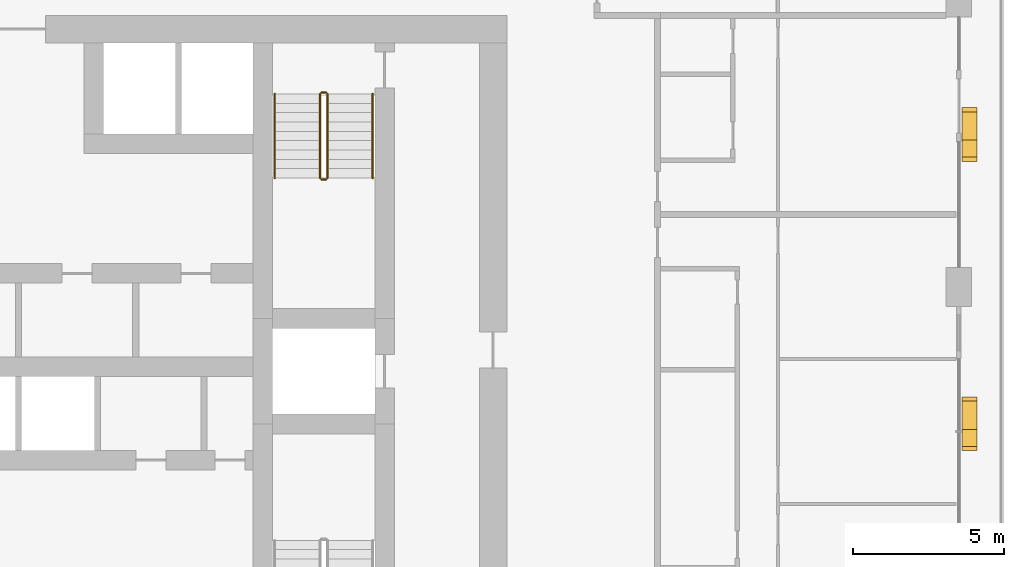
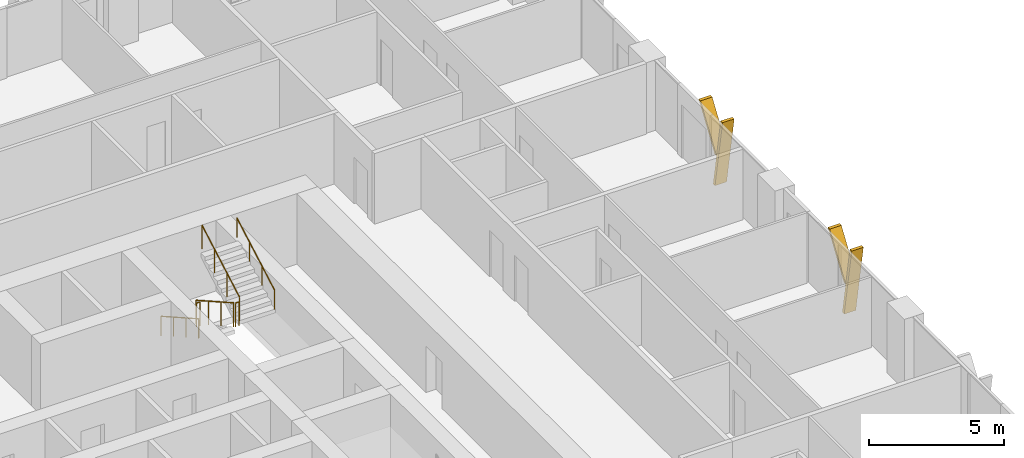
# One storey, part 21 of 22: 6 railings, 4 shading devices.
"""IFC4 building model written with IfcOpenShell, lengths in metres."""

from ifc_helpers import new_model, si_unit, direction, frame, origin, origin_2d, place, context, subcontext, project, spatial, polyline, circle, outline, extrude, material, type_object, element, save


model = new_model("IFC4")

# Units and contexts
model_context = context("Model", 3, precision=1e-05, world=origin(), true_north=direction((0.0, 1.0)))
body_context = subcontext(model_context, "Body", "Model", "MODEL_VIEW")
ifc_project = project(units=[si_unit("LENGTHUNIT", "METRE"), si_unit("AREAUNIT", "SQUARE_METRE"), si_unit("VOLUMEUNIT", "CUBIC_METRE"), si_unit("PLANEANGLEUNIT", "RADIAN"), si_unit("MASSUNIT", "GRAM", prefix="KILO")], contexts=[model_context])

# Site, building, storey
site_placement = place(None, origin())
site = spatial("IfcSite", under=ifc_project, at=site_placement, CompositionType="ELEMENT")
building_placement = place(site_placement, origin())
building = spatial("IfcBuilding", under=site, at=building_placement, Name="Madar Terraces", CompositionType="ELEMENT")
storey_placement = place(building_placement, frame((0.0, 0.0, 103.199951171875)))
storey = spatial("IfcBuildingStorey", under=building, at=storey_placement, Name="L26", CompositionType="ELEMENT", Elevation=103.199951171875)

# Shading devices
ifc_material_1 = material(Name="Aluminium, black anodised", Category="aluminium")
shading_device_type = type_object("IfcShadingDeviceType", Name="Facade fin blade 140 x 500", PredefinedType="USERDEFINED", material=ifc_material_1)
shading_device_1_placement = place(storey_placement, frame((62.75, 23.929931640625, 0.0), z_axis=(0.0, 0.0, 1.0), x_axis=(0.0, 1.0, 0.0)))
element("IfcShadingDevice", 1, at=shading_device_1_placement, inside=storey, type_object=shading_device_type, Name="FIN L26 E2", ObjectType="FIN", PredefinedType="USERDEFINED", context=body_context, shape_type="SweptSolid", body=[
    extrude(outline(polyline([(0.0, 0.0), (0.14013671875, 0.0), (-0.42431640625, 3.199951171875), (-0.564208984375, 3.199951171875), (0.0, 0.0)])), frame((0.0, 0.25, 0.0), z_axis=(0.0, -1.0, 0.0), x_axis=(1.0, 0.0, 0.0)), (0.0, 0.0, 1.0), 0.5),
])
shading_device_2_placement = place(storey_placement, frame((62.75, 23.816162109375, 1.43994140625), z_axis=(0.0, 0.0, 1.0), x_axis=(0.0, 1.0, 0.0)))
element("IfcShadingDevice", 2, at=shading_device_2_placement, inside=storey, type_object=shading_device_type, Name="FIN L26 E2 branch", ObjectType="FIN", PredefinedType="USERDEFINED", context=body_context, shape_type="SweptSolid", body=[
    extrude(outline(polyline([(0.0, 0.0), (0.139892578125, 0.0), (1.32958984375, 1.760009765625), (1.189697265625, 1.760009765625), (0.0, 0.0)])), frame((0.0, 0.25, 0.0), z_axis=(0.0, -1.0, 0.0), x_axis=(1.0, 0.0, 0.0)), (0.0, 0.0, 1.0), 0.5),
])
shading_device_3_placement = place(storey_placement, frame((62.75, 33.530029296875, 0.0), z_axis=(0.0, 0.0, 1.0), x_axis=(0.0, 1.0, 0.0)))
element("IfcShadingDevice", 3, at=shading_device_3_placement, inside=storey, type_object=shading_device_type, Name="FIN L26 E3", ObjectType="FIN", PredefinedType="USERDEFINED", context=body_context, shape_type="SweptSolid", body=[
    extrude(outline(polyline([(0.0, 0.0), (0.139892578125, 0.0), (-0.42431640625, 3.199951171875), (-0.564208984375, 3.199951171875), (0.0, 0.0)])), frame((0.0, 0.25, 0.0), z_axis=(0.0, -1.0, 0.0), x_axis=(1.0, 0.0, 0.0)), (0.0, 0.0, 1.0), 0.5),
])
shading_device_4_placement = place(storey_placement, frame((62.75, 33.416015625, 1.43994140625), z_axis=(0.0, 0.0, 1.0), x_axis=(0.0, 1.0, 0.0)))
element("IfcShadingDevice", 4, at=shading_device_4_placement, inside=storey, type_object=shading_device_type, Name="FIN L26 E3 branch", ObjectType="FIN", PredefinedType="USERDEFINED", context=body_context, shape_type="SweptSolid", body=[
    extrude(outline(polyline([(0.0, 0.0), (0.14013671875, 0.0), (1.32958984375, 1.760009765625), (1.189697265625, 1.760009765625), (0.0, 0.0)])), frame((0.0, 0.25, 0.0), z_axis=(0.0, -1.0, 0.0), x_axis=(1.0, 0.0, 0.0)), (0.0, 0.0, 1.0), 0.5),
])

# Railings
ifc_material_2 = material(Name="Stainless steel railing", Category="steel")
railing_type_1 = type_object("IfcRailingType", Name="Stair guard 1100", PredefinedType="GUARDRAIL", material=ifc_material_2)
railing_1_placement = place(storey_placement, frame((41.199951171875, 35.199951171875, 0.175048828125)))
element("IfcRailing", 5, at=railing_1_placement, inside=storey, type_object=railing_type_1, Name="L26 ST2 stair guard 1", PredefinedType="GUARDRAIL", context=body_context, shape_type="SweptSolid", body=[
    extrude(circle(Radius=0.02392578125, at=origin_2d()), frame((0.0, 0.0, 1.076171875), z_axis=(0.0, -0.870833779661, 0.491577591232), x_axis=(1.0, 0.0, 0.0)), (0.0, 0.0, 1.0), 3.203857421875),
    extrude(circle(Radius=0.02099609375, at=origin_2d()), origin(), (0.0, 0.0, 1.0), 1.052001953125),
    extrude(circle(Radius=0.02099609375, at=origin_2d()), frame((0.0, -0.929931640625, 0.52490234375)), (0.0, 0.0, 1.0), 1.052001953125),
    extrude(circle(Radius=0.02099609375, at=origin_2d()), frame((0.0, -1.860107421875, 1.050048828125)), (0.0, 0.0, 1.0), 1.052001953125),
    extrude(circle(Radius=0.02099609375, at=origin_2d()), frame((0.0, -2.7900390625, 1.574951171875)), (0.0, 0.0, 1.0), 1.052001953125),
])
railing_2_placement = place(storey_placement, frame((41.25, 32.360107421875, 1.75)))
element("IfcRailing", 6, at=railing_2_placement, inside=storey, type_object=railing_type_1, Name="L26 ST2 stair guard 2", PredefinedType="GUARDRAIL", context=body_context, shape_type="SweptSolid", body=[
    extrude(circle(Radius=0.02392578125, at=origin_2d()), frame((0.0, 0.0, 1.076171875), z_axis=(1.0, 0.0, 0.0), x_axis=(0.0, 1.0, 0.0)), (0.0, 0.0, 1.0), 0.14990234375),
    extrude(circle(Radius=0.02099609375, at=origin_2d()), origin(), (0.0, 0.0, 1.0), 1.052001953125),
    extrude(circle(Radius=0.02099609375, at=origin_2d()), frame((0.14990234375, 0.0, 0.0)), (0.0, 0.0, 1.0), 1.052001953125),
])
railing_3_placement = place(storey_placement, frame((41.449951171875, 32.409912109375, 1.925048828125)))
element("IfcRailing", 7, at=railing_3_placement, inside=storey, type_object=railing_type_1, Name="L26 ST2 stair guard 3", PredefinedType="GUARDRAIL", context=body_context, shape_type="SweptSolid", body=[
    extrude(circle(Radius=0.02392578125, at=origin_2d()), frame((0.0, 0.0, 1.076171875), z_axis=(0.0, 0.870833779661, 0.491577591232), x_axis=(-1.0, 0.0, 0.0)), (0.0, 0.0, 1.0), 3.203857421875),
    extrude(circle(Radius=0.02099609375, at=origin_2d()), origin(), (0.0, 0.0, 1.0), 1.052001953125),
    extrude(circle(Radius=0.02099609375, at=origin_2d()), frame((0.0, 0.929931640625, 0.52490234375)), (0.0, 0.0, 1.0), 1.052001953125),
    extrude(circle(Radius=0.02099609375, at=origin_2d()), frame((0.0, 1.860107421875, 1.050048828125)), (0.0, 0.0, 1.0), 1.052001953125),
    extrude(circle(Radius=0.02099609375, at=origin_2d()), frame((0.0, 2.7900390625, 1.574951171875)), (0.0, 0.0, 1.0), 1.052001953125),
])
railing_4_placement = place(storey_placement, frame((41.25, 35.25, 0.0)))
element("IfcRailing", 8, at=railing_4_placement, inside=storey, type_object=railing_type_1, Name="L26 ST2 stair guard 4", PredefinedType="GUARDRAIL", context=body_context, shape_type="SweptSolid", body=[
    extrude(circle(Radius=0.02392578125, at=origin_2d()), frame((0.0, 0.0, 1.076171875), z_axis=(1.0, 0.0, 0.0), x_axis=(0.0, 1.0, 0.0)), (0.0, 0.0, 1.0), 0.14990234375),
    extrude(circle(Radius=0.02099609375, at=origin_2d()), origin(), (0.0, 0.0, 1.0), 1.052001953125),
    extrude(circle(Radius=0.02099609375, at=origin_2d()), frame((0.14990234375, 0.0, 0.0)), (0.0, 0.0, 1.0), 1.052001953125),
])
ifc_material_3 = material(Name="Stainless steel railing", Category="steel")
railing_type_2 = type_object("IfcRailingType", Name="Stair handrail 900", PredefinedType="HANDRAIL", material=ifc_material_3)
railing_5_placement = place(storey_placement, frame((39.699951171875, 35.199951171875, 0.175048828125)))
element("IfcRailing", 9, at=railing_5_placement, inside=storey, type_object=railing_type_2, Name="L26 ST2 stair handrail 1", PredefinedType="HANDRAIL", context=body_context, shape_type="SweptSolid", body=[
    extrude(circle(Radius=0.02392578125, at=origin_2d()), frame((0.0, 0.0, 0.8759765625), z_axis=(0.0, -0.870833779661, 0.491577591232), x_axis=(1.0, 0.0, 0.0)), (0.0, 0.0, 1.0), 3.203857421875),
    extrude(circle(Radius=0.02099609375, at=origin_2d()), origin(), (0.0, 0.0, 1.0), 0.851806640625),
    extrude(circle(Radius=0.02099609375, at=origin_2d()), frame((0.0, -0.929931640625, 0.52490234375)), (0.0, 0.0, 1.0), 0.851806640625),
    extrude(circle(Radius=0.02099609375, at=origin_2d()), frame((0.0, -1.860107421875, 1.050048828125)), (0.0, 0.0, 1.0), 0.851806640625),
    extrude(circle(Radius=0.02099609375, at=origin_2d()), frame((0.0, -2.7900390625, 1.574951171875)), (0.0, 0.0, 1.0), 0.851806640625),
])
railing_6_placement = place(storey_placement, frame((42.949951171875, 32.409912109375, 1.925048828125)))
element("IfcRailing", 10, at=railing_6_placement, inside=storey, type_object=railing_type_2, Name="L26 ST2 stair handrail 2", PredefinedType="HANDRAIL", context=body_context, shape_type="SweptSolid", body=[
    extrude(circle(Radius=0.02392578125, at=origin_2d()), frame((0.0, 0.0, 0.8759765625), z_axis=(0.0, 0.870833779661, 0.491577591232), x_axis=(-1.0, 0.0, 0.0)), (0.0, 0.0, 1.0), 3.203857421875),
    extrude(circle(Radius=0.02099609375, at=origin_2d()), origin(), (0.0, 0.0, 1.0), 0.851806640625),
    extrude(circle(Radius=0.02099609375, at=origin_2d()), frame((0.0, 0.929931640625, 0.52490234375)), (0.0, 0.0, 1.0), 0.851806640625),
    extrude(circle(Radius=0.02099609375, at=origin_2d()), frame((0.0, 1.860107421875, 1.050048828125)), (0.0, 0.0, 1.0), 0.851806640625),
    extrude(circle(Radius=0.02099609375, at=origin_2d()), frame((0.0, 2.7900390625, 1.574951171875)), (0.0, 0.0, 1.0), 0.851806640625),
])

save(model, "model.ifc")
